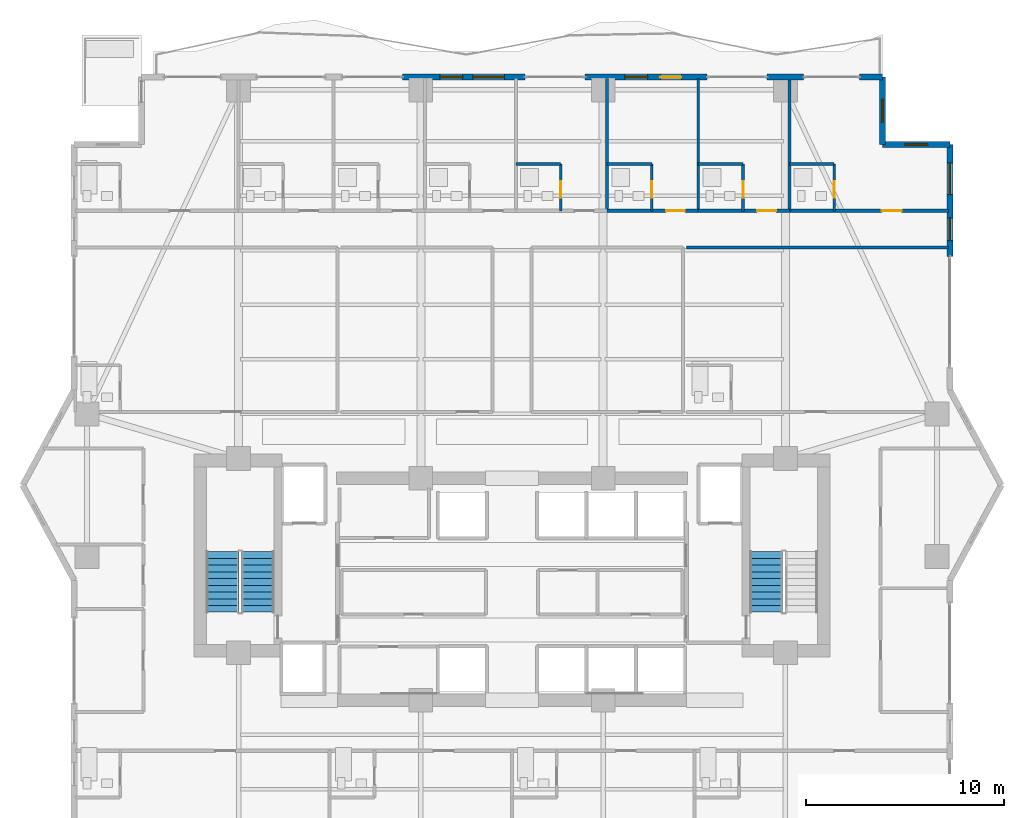
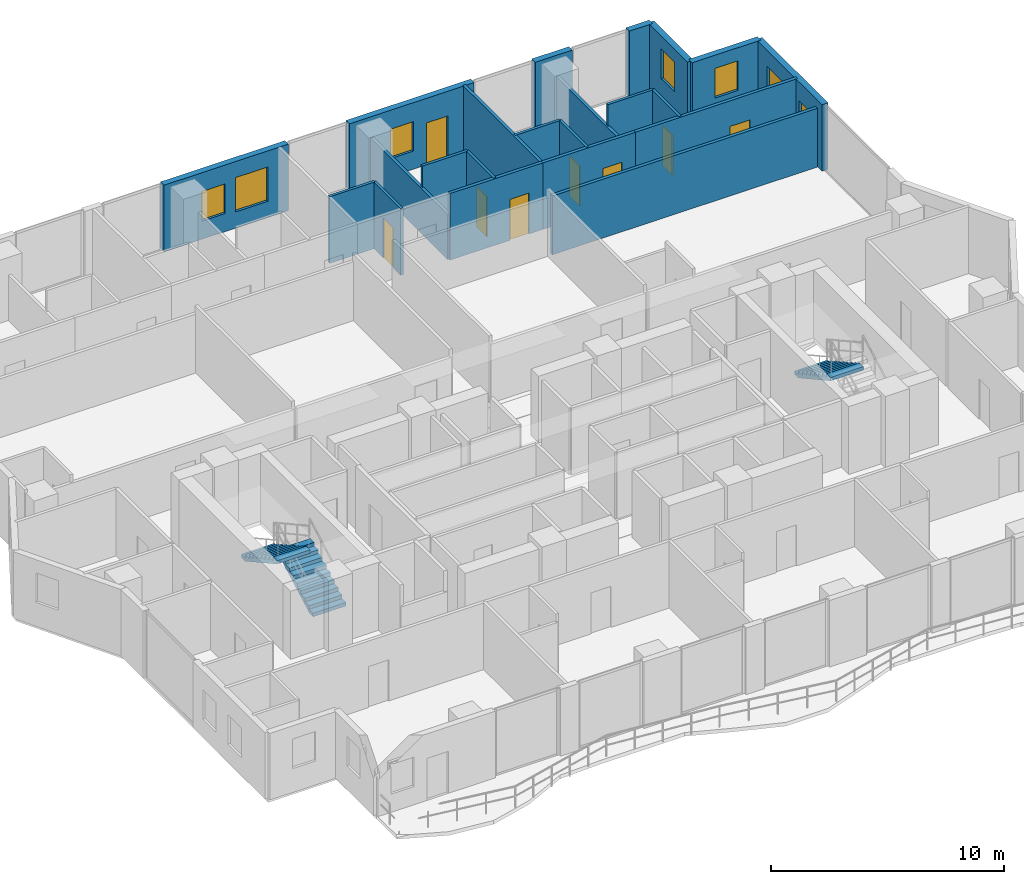
# One storey, part 28 of 33: 22 walls, 8 doors, 7 windows, 3 stair flights, 15 openings, 2 elements without a shape of their own.
"""IFC4 building model written with IfcOpenShell, lengths in metres."""

from ifc_helpers import new_model, si_unit, direction, frame, frame_2d, origin, place, context, subcontext, project, spatial, polyline, rectangle, outline, extrude, material, layer, layer_set, type_object, element, fill, aggregate, save


model = new_model("IFC4")

# Units and contexts
model_context = context("Model", 3, precision=1e-05, world=origin(), true_north=direction((0.0, 1.0)))
body_context = subcontext(model_context, "Body", "Model", "MODEL_VIEW")
ifc_project = project(units=[si_unit("LENGTHUNIT", "METRE"), si_unit("AREAUNIT", "SQUARE_METRE"), si_unit("VOLUMEUNIT", "CUBIC_METRE"), si_unit("PLANEANGLEUNIT", "RADIAN"), si_unit("MASSUNIT", "GRAM", prefix="KILO")], contexts=[model_context])

# Site, building, storey
site_placement = place(None, origin())
site = spatial("IfcSite", under=ifc_project, at=site_placement, CompositionType="ELEMENT")
building_placement = place(site_placement, origin())
building = spatial("IfcBuilding", under=site, at=building_placement, Name="Zuhayl Quay Hotel", CompositionType="ELEMENT")
storey_placement = place(building_placement, frame((0.0, 0.0, 229.89990234375)))
storey = spatial("IfcBuildingStorey", under=building, at=storey_placement, Name="L58", CompositionType="ELEMENT", Elevation=229.89990234375)

# Wall, openings, windows
ifc_material_1 = material(Name="Precast concrete C45/55", Category="concrete")
ifc_layer_1 = layer(ifc_material_1, 0.300048828125, Name="Precast concrete C45/55", Category="concrete")
ifc_layer_set_1 = layer_set([ifc_layer_1], Name="Precast concrete C45/55")
wall_type_1 = type_object("IfcWallType", Name="WL_EXT_300", PredefinedType="STANDARD", material=ifc_layer_set_1)
wall_1_placement = place(storey_placement, frame((-5.52001953125, 33.60009765625, 0.0), z_axis=(0.0, 0.0, 1.0), x_axis=(1.0, 0.0, 0.0)))
wall_1 = element("IfcWall", 1, at=wall_1_placement, inside=storey, type_object=wall_type_1, Name="L58 Exterior Precast Wall ENV_L58_N_EW4", PredefinedType="STANDARD", context=body_context, shape_type="SweptSolid", body=[
    extrude(rectangle(XDim=6.169921875, YDim=0.300048828125, at=frame_2d((3.0849609375, 0.0))), origin(), (0.0, 0.0, 1.0), 3.489990234375),
])
opening_1_placement = place(wall_1_placement, frame((3.5400390625, 0.0, 0.85009765625)))
opening_1 = element("IfcOpeningElement", 2, at=opening_1_placement, cuts=wall_1, Name="Opening W01", PredefinedType="OPENING", context=body_context, shape_type="SweptSolid", body=[
    extrude(rectangle(XDim=1.60009765625, YDim=1.800048828125, at=frame_2d((0.800048828125, 0.89990234375))), frame((0.0, 0.159912109375, 0.0), z_axis=(0.0, -1.0, 0.0), x_axis=(1.0, 0.0, 0.0)), (0.0, 0.0, 1.0), 0.320068359375),
])
opening_2_placement = place(wall_1_placement, frame((1.8798828125, 0.0, 0.949951171875)))
opening_2 = element("IfcOpeningElement", 3, at=opening_2_placement, cuts=wall_1, Name="Opening W01N", PredefinedType="OPENING", context=body_context, shape_type="SweptSolid", body=[
    extrude(rectangle(XDim=1.14990234375, YDim=1.550048828125, at=frame_2d((0.574951171875, 0.77490234375))), frame((0.0, 0.159912109375, 0.0), z_axis=(0.0, -1.0, 0.0), x_axis=(1.0, 0.0, 0.0)), (0.0, 0.0, 1.0), 0.320068359375),
])
ifc_material_2 = material(Name="Dark Ceramic-Fritted Solar Glass", Category="glass")
window_type_1 = type_object("IfcWindowType", Name="WN_NOTCH_1350", PartitioningType="SINGLE_PANEL", PredefinedType="WINDOW", material=ifc_material_2)
window_1_placement = place(opening_2_placement, origin())
window_1 = element("IfcWindow", 4, at=window_1_placement, inside=storey, type_object=window_type_1, Name="L58 Operable Facade Window 4-1", OverallHeight=1.550048828125, OverallWidth=1.14990234375, PartitioningType="SINGLE_PANEL", PredefinedType="WINDOW", context=body_context, shape_type="SweptSolid", body=[
    extrude(rectangle(XDim=1.14990234375, YDim=1.550048828125, at=frame_2d((0.574951171875, 0.77490234375))), frame((0.0, 0.030029296875, 0.0), z_axis=(0.0, -1.0, 0.0), x_axis=(1.0, 0.0, 0.0)), (0.0, 0.0, 1.0), 0.06005859375),
])
fill(opening_2, window_1)
window_type_2 = type_object("IfcWindowType", Name="WN_OPERABLE_1600", PartitioningType="DOUBLE_PANEL_VERTICAL", PredefinedType="WINDOW", material=ifc_material_2)
window_2_placement = place(opening_1_placement, origin())
window_2 = element("IfcWindow", 5, at=window_2_placement, inside=storey, type_object=window_type_2, Name="L58 North Operable Casement Window", OverallHeight=1.800048828125, OverallWidth=1.60009765625, PartitioningType="SINGLE_PANEL", PredefinedType="WINDOW", context=body_context, shape_type="SweptSolid", body=[
    extrude(rectangle(XDim=1.60009765625, YDim=1.800048828125, at=frame_2d((0.800048828125, 0.89990234375))), frame((0.0, 0.030029296875, 0.0), z_axis=(0.0, -1.0, 0.0), x_axis=(1.0, 0.0, 0.0)), (0.0, 0.0, 1.0), 0.06005859375),
])
fill(opening_1, window_2)

# Wall, openings, door, window
wall_2_placement = place(storey_placement, frame((3.679931640625, 33.60009765625, 0.0), z_axis=(0.0, 0.0, 1.0), x_axis=(1.0, 0.0, 0.0)))
wall_2 = element("IfcWall", 6, at=wall_2_placement, inside=storey, type_object=wall_type_1, Name="L58 Exterior Precast Wall ENV_L58_N_EW5", PredefinedType="STANDARD", context=body_context, shape_type="SweptSolid", body=[
    extrude(rectangle(XDim=6.170166015625, YDim=0.300048828125, at=frame_2d((3.0849609375, 0.0))), origin(), (0.0, 0.0, 1.0), 3.489990234375),
])
opening_3_placement = place(wall_2_placement, frame((3.81494140625, 0.0, 0.0)))
opening_3 = element("IfcOpeningElement", 7, at=opening_3_placement, cuts=wall_2, Name="Opening DG1", PredefinedType="OPENING", context=body_context, shape_type="SweptSolid", body=[
    extrude(rectangle(XDim=1.050048828125, YDim=2.199951171875, at=frame_2d((0.52490234375, 1.10009765625))), frame((0.0, 0.159912109375, 0.0), z_axis=(0.0, -1.0, 0.0), x_axis=(1.0, 0.0, 0.0)), (0.0, 0.0, 1.0), 0.320068359375),
])
opening_4_placement = place(wall_2_placement, frame((2.017578125, 0.0, 0.949951171875)))
opening_4 = element("IfcOpeningElement", 8, at=opening_4_placement, cuts=wall_2, Name="Opening W01N", PredefinedType="OPENING", context=body_context, shape_type="SweptSolid", body=[
    extrude(rectangle(XDim=1.14990234375, YDim=1.550048828125, at=frame_2d((0.574951171875, 0.77490234375))), frame((0.0, 0.159912109375, 0.0), z_axis=(0.0, -1.0, 0.0), x_axis=(1.0, 0.0, 0.0)), (0.0, 0.0, 1.0), 0.320068359375),
])
ifc_material_3 = material(Name="Anodised Aluminium and Dark Solar Glass", Category="aluminium")
door_type_1 = type_object("IfcDoorType", Name="DR_EXT_TERR_1050", OperationType="NOTDEFINED", PredefinedType="DOOR", material=ifc_material_3)
door_1_placement = place(opening_3_placement, origin())
door_1 = element("IfcDoor", 9, at=door_1_placement, inside=storey, type_object=door_type_1, Name="L58 North Rippling Balcony Door", OperationType="SINGLE_SWING_LEFT", OverallHeight=2.199951171875, OverallWidth=1.050048828125, PredefinedType="DOOR", context=body_context, shape_type="SweptSolid", body=[
    extrude(rectangle(XDim=1.050048828125, YDim=2.199951171875, at=frame_2d((0.52490234375, 1.10009765625))), frame((0.0, 0.02490234375, 0.0), z_axis=(0.0, -1.0, 0.0), x_axis=(1.0, 0.0, 0.0)), (0.0, 0.0, 1.0), 0.050048828125),
])
fill(opening_3, door_1)
window_3_placement = place(opening_4_placement, origin())
window_3 = element("IfcWindow", 10, at=window_3_placement, inside=storey, type_object=window_type_1, Name="L58 Operable Facade Window 5-1", OverallHeight=1.550048828125, OverallWidth=1.14990234375, PartitioningType="SINGLE_PANEL", PredefinedType="WINDOW", context=body_context, shape_type="SweptSolid", body=[
    extrude(rectangle(XDim=1.14990234375, YDim=1.550048828125, at=frame_2d((0.574951171875, 0.77490234375))), frame((0.0, 0.030029296875, 0.0), z_axis=(0.0, -1.0, 0.0), x_axis=(1.0, 0.0, 0.0)), (0.0, 0.0, 1.0), 0.06005859375),
])
fill(opening_4, window_3)

# Walls
wall_3_placement = place(storey_placement, frame((12.8798828125, 33.60009765625, 0.0), z_axis=(0.0, 0.0, 1.0), x_axis=(1.0, 0.0, 0.0)))
element("IfcWall", 11, at=wall_3_placement, inside=storey, type_object=wall_type_1, Name="L58 Exterior Precast Wall ENV_L58_N_EW6", PredefinedType="STANDARD", context=body_context, shape_type="SweptSolid", body=[
    extrude(rectangle(XDim=1.840087890625, YDim=0.300048828125, at=frame_2d((0.919921875, 0.0))), origin(), (0.0, 0.0, 1.0), 3.489990234375),
])
wall_4_placement = place(storey_placement, frame((17.550048828125, 33.60009765625, 0.0), z_axis=(0.0, 0.0, 1.0), x_axis=(1.0, 0.0, 0.0)))
element("IfcWall", 12, at=wall_4_placement, inside=storey, type_object=wall_type_1, Name="L58 Exterior Precast Wall ENV_L58_N_EW7", PredefinedType="STANDARD", context=body_context, shape_type="SweptSolid", body=[
    extrude(rectangle(XDim=1.14990234375, YDim=0.300048828125, at=frame_2d((0.574951171875, 0.0))), origin(), (0.0, 0.0, 1.0), 3.489990234375),
])

# Wall, opening, window
wall_5_placement = place(storey_placement, frame((18.699951171875, 33.60009765625, 0.0), z_axis=(0.0, 0.0, 1.0), x_axis=(0.0, -1.0, 0.0)))
wall_5 = element("IfcWall", 13, at=wall_5_placement, inside=storey, type_object=wall_type_1, Name="L58 Exterior Precast Wall ENV_L58_EW09", PredefinedType="STANDARD", context=body_context, shape_type="SweptSolid", body=[
    extrude(rectangle(XDim=3.400146484375, YDim=0.300048828125, at=frame_2d((1.7001953125, 0.0))), origin(), (0.0, 0.0, 1.0), 3.489990234375),
])
opening_5_placement = place(wall_5_placement, frame((1.125, 0.0, 1.25)))
opening_5 = element("IfcOpeningElement", 14, at=opening_5_placement, cuts=wall_5, Name="Opening W01N", PredefinedType="OPENING", context=body_context, shape_type="SweptSolid", body=[
    extrude(rectangle(XDim=1.14990234375, YDim=1.550048828125, at=frame_2d((0.574951171875, 0.77490234375))), frame((0.0, 0.159912109375, 0.0), z_axis=(0.0, -1.0, 0.0), x_axis=(1.0, 0.0, 0.0)), (0.0, 0.0, 1.0), 0.320068359375),
])
window_4_placement = place(opening_5_placement, origin())
window_4 = element("IfcWindow", 15, at=window_4_placement, inside=storey, type_object=window_type_1, Name="L58 Corner Notch Window 9", OverallHeight=1.550048828125, OverallWidth=1.14990234375, PartitioningType="SINGLE_PANEL", PredefinedType="WINDOW", context=body_context, shape_type="SweptSolid", body=[
    extrude(rectangle(XDim=1.14990234375, YDim=1.550048828125, at=frame_2d((0.574951171875, 0.77490234375))), frame((0.0, 0.030029296875, 0.0), z_axis=(0.0, -1.0, 0.0), x_axis=(1.0, 0.0, 0.0)), (0.0, 0.0, 1.0), 0.06005859375),
])
fill(opening_5, window_4)

wall_6_placement = place(storey_placement, frame((18.699951171875, 30.199951171875, 0.0), z_axis=(0.0, 0.0, 1.0), x_axis=(1.0, 0.0, 0.0)))
wall_6 = element("IfcWall", 16, at=wall_6_placement, inside=storey, type_object=wall_type_1, Name="L58 Exterior Precast Wall ENV_L58_EW10", PredefinedType="STANDARD", context=body_context, shape_type="SweptSolid", body=[
    extrude(rectangle(XDim=3.400146484375, YDim=0.300048828125, at=frame_2d((1.7001953125, 0.0))), origin(), (0.0, 0.0, 1.0), 3.489990234375),
])
opening_6_placement = place(wall_6_placement, frame((1.125, 0.0, 1.25)))
opening_6 = element("IfcOpeningElement", 17, at=opening_6_placement, cuts=wall_6, Name="Opening W01N", PredefinedType="OPENING", context=body_context, shape_type="SweptSolid", body=[
    extrude(rectangle(XDim=1.14990234375, YDim=1.550048828125, at=frame_2d((0.574951171875, 0.77490234375))), frame((0.0, 0.159912109375, 0.0), z_axis=(0.0, -1.0, 0.0), x_axis=(1.0, 0.0, 0.0)), (0.0, 0.0, 1.0), 0.320068359375),
])
window_5_placement = place(opening_6_placement, origin())
window_5 = element("IfcWindow", 18, at=window_5_placement, inside=storey, type_object=window_type_1, Name="L58 Corner Notch Window 10", OverallHeight=1.550048828125, OverallWidth=1.14990234375, PartitioningType="SINGLE_PANEL", PredefinedType="WINDOW", context=body_context, shape_type="SweptSolid", body=[
    extrude(rectangle(XDim=1.14990234375, YDim=1.550048828125, at=frame_2d((0.574951171875, 0.77490234375))), frame((0.0, 0.030029296875, 0.0), z_axis=(0.0, -1.0, 0.0), x_axis=(1.0, 0.0, 0.0)), (0.0, 0.0, 1.0), 0.06005859375),
])
fill(opening_6, window_5)

# Wall, openings, windows
wall_7_placement = place(storey_placement, frame((22.10009765625, 30.199951171875, 0.0), z_axis=(0.0, 0.0, 1.0), x_axis=(0.0, -1.0, 0.0)))
wall_7 = element("IfcWall", 19, at=wall_7_placement, inside=storey, type_object=wall_type_1, Name="L58 Exterior Precast Wall ENV_L58_E11_EW1", PredefinedType="STANDARD", context=body_context, shape_type="SweptSolid", body=[
    extrude(rectangle(XDim=5.64990234375, YDim=0.300048828125, at=frame_2d((2.824951171875, 0.0))), origin(), (0.0, 0.0, 1.0), 3.489990234375),
])
opening_7_placement = place(wall_7_placement, frame((0.93505859375, 0.0, 0.85009765625)))
opening_7 = element("IfcOpeningElement", 20, at=opening_7_placement, cuts=wall_7, Name="Opening W01", PredefinedType="OPENING", context=body_context, shape_type="SweptSolid", body=[
    extrude(rectangle(XDim=1.60009765625, YDim=1.800048828125, at=frame_2d((0.800048828125, 0.89990234375))), frame((0.0, 0.159912109375, 0.0), z_axis=(0.0, -1.0, 0.0), x_axis=(1.0, 0.0, 0.0)), (0.0, 0.0, 1.0), 0.320068359375),
])
opening_8_placement = place(wall_7_placement, frame((3.699951171875, 0.0, 0.949951171875)))
opening_8 = element("IfcOpeningElement", 21, at=opening_8_placement, cuts=wall_7, Name="Opening W01N", PredefinedType="OPENING", context=body_context, shape_type="SweptSolid", body=[
    extrude(rectangle(XDim=1.14990234375, YDim=1.550048828125, at=frame_2d((0.574951171875, 0.77490234375))), frame((0.0, 0.159912109375, 0.0), z_axis=(0.0, -1.0, 0.0), x_axis=(1.0, 0.0, 0.0)), (0.0, 0.0, 1.0), 0.320068359375),
])
window_6_placement = place(opening_8_placement, origin())
window_6 = element("IfcWindow", 22, at=window_6_placement, inside=storey, type_object=window_type_1, Name="L58 Operable Facade Window 1-2", OverallHeight=1.550048828125, OverallWidth=1.14990234375, PartitioningType="SINGLE_PANEL", PredefinedType="WINDOW", context=body_context, shape_type="SweptSolid", body=[
    extrude(rectangle(XDim=1.14990234375, YDim=1.550048828125, at=frame_2d((0.574951171875, 0.77490234375))), frame((0.0, 0.030029296875, 0.0), z_axis=(0.0, -1.0, 0.0), x_axis=(1.0, 0.0, 0.0)), (0.0, 0.0, 1.0), 0.06005859375),
])
fill(opening_8, window_6)
window_7_placement = place(opening_7_placement, origin())
window_7 = element("IfcWindow", 23, at=window_7_placement, inside=storey, type_object=window_type_2, Name="L58 Operable Facade Window 1-1", OverallHeight=1.800048828125, OverallWidth=1.60009765625, PartitioningType="SINGLE_PANEL", PredefinedType="WINDOW", context=body_context, shape_type="SweptSolid", body=[
    extrude(rectangle(XDim=1.60009765625, YDim=1.800048828125, at=frame_2d((0.800048828125, 0.89990234375))), frame((0.0, 0.030029296875, 0.0), z_axis=(0.0, -1.0, 0.0), x_axis=(1.0, 0.0, 0.0)), (0.0, 0.0, 1.0), 0.06005859375),
])
fill(opening_7, window_7)

# Walls
ifc_material_4 = material(Name="Acoustic Gypsum Partition STC-58")
ifc_layer_2 = layer(ifc_material_4, 0.14990234375, Name="Acoustic Gypsum Partition STC-58")
ifc_layer_set_2 = layer_set([ifc_layer_2], Name="Acoustic Gypsum Partition STC-58")
wall_type_2 = type_object("IfcWallType", Name="WL_PART_150", PredefinedType="PARTITIONING", material=ifc_layer_set_2)
wall_8_placement = place(storey_placement, frame((4.800048828125, 26.85009765625, 0.0), z_axis=(0.0, 0.0, 1.0), x_axis=(0.0, 1.0, 0.0)))
element("IfcWall", 24, at=wall_8_placement, inside=storey, type_object=wall_type_2, Name="L58 Partition IW_L58_NU05_E", PredefinedType="PARTITIONING", context=body_context, shape_type="SweptSolid", body=[
    extrude(rectangle(XDim=6.669921875, YDim=0.14990234375, at=frame_2d((3.3349609375, 0.0))), origin(), (0.0, 0.0, 1.0), 2.3720703125),
])
wall_9_placement = place(storey_placement, frame((9.39990234375, 26.85009765625, 0.0), z_axis=(0.0, 0.0, 1.0), x_axis=(0.0, 1.0, 0.0)))
element("IfcWall", 25, at=wall_9_placement, inside=storey, type_object=wall_type_2, Name="L58 Partition IW_L58_NU06_E", PredefinedType="PARTITIONING", context=body_context, shape_type="SweptSolid", body=[
    extrude(rectangle(XDim=6.669921875, YDim=0.14990234375, at=frame_2d((3.3349609375, 0.0))), origin(), (0.0, 0.0, 1.0), 3.489990234375),
])
wall_10_placement = place(storey_placement, frame((14.0, 26.85009765625, 0.0), z_axis=(0.0, 0.0, 1.0), x_axis=(0.0, 1.0, 0.0)))
element("IfcWall", 26, at=wall_10_placement, inside=storey, type_object=wall_type_2, Name="L58 Partition IW_L58_NU07_E", PredefinedType="PARTITIONING", context=body_context, shape_type="SweptSolid", body=[
    extrude(rectangle(XDim=6.669921875, YDim=0.14990234375, at=frame_2d((3.3349609375, 0.0))), origin(), (0.0, 0.0, 1.0), 2.3720703125),
])

# Wall, opening, door
ifc_layer_3 = layer(ifc_material_4, 0.159912109375, Name="Acoustic Gypsum Partition STC-58")
ifc_layer_set_3 = layer_set([ifc_layer_3], Name="Acoustic Gypsum Partition STC-58")
wall_type_3 = type_object("IfcWallType", Name="WL_PART_CORR_160", PredefinedType="PARTITIONING", material=ifc_layer_set_3)
wall_11_placement = place(storey_placement, frame((4.800048828125, 26.85009765625, 0.0), z_axis=(0.0, 0.0, 1.0), x_axis=(1.0, 0.0, 0.0)))
wall_11 = element("IfcWall", 27, at=wall_11_placement, inside=storey, type_object=wall_type_3, Name="L58 Partition IW_L58_NU06_COR", PredefinedType="PARTITIONING", context=body_context, shape_type="SweptSolid", body=[
    extrude(rectangle(XDim=4.599853515625, YDim=0.159912109375, at=frame_2d((2.2998046875, 0.0))), origin(), (0.0, 0.0, 1.0), 3.489990234375),
])
opening_9_placement = place(wall_11_placement, frame((2.97509765625, 0.0, 0.0)))
opening_9 = element("IfcOpeningElement", 28, at=opening_9_placement, cuts=wall_11, Name="Opening D03", PredefinedType="OPENING", context=body_context, shape_type="SweptSolid", body=[
    extrude(rectangle(XDim=0.949951171875, YDim=2.14990234375, at=frame_2d((0.47509765625, 1.074951171875))), frame((0.0, 0.08984375, 0.0), z_axis=(0.0, -1.0, 0.0), x_axis=(1.0, 0.0, 0.0)), (0.0, 0.0, 1.0), 0.179931640625),
])
ifc_material_5 = material(Name="Solid Walnut Acoustic Fire Door")
door_type_2 = type_object("IfcDoorType", Name="DR_SUITE_950", OperationType="NOTDEFINED", PredefinedType="DOOR", material=ifc_material_5)
door_2_placement = place(opening_9_placement, origin())
door_2 = element("IfcDoor", 29, at=door_2_placement, inside=storey, type_object=door_type_2, Name="L58 Panoramic Gulf Guest Room L58-06 Entrance Door", OperationType="SINGLE_SWING_LEFT", OverallHeight=2.14990234375, OverallWidth=0.949951171875, PredefinedType="DOOR", context=body_context, shape_type="SweptSolid", body=[
    extrude(rectangle(XDim=0.949951171875, YDim=2.14990234375, at=frame_2d((0.47509765625, 1.074951171875))), frame((0.0, 0.02490234375, 0.0), z_axis=(0.0, -1.0, 0.0), x_axis=(1.0, 0.0, 0.0)), (0.0, 0.0, 1.0), 0.050048828125),
])
fill(opening_9, door_2)

wall_12_placement = place(storey_placement, frame((9.39990234375, 26.85009765625, 0.0), z_axis=(0.0, 0.0, 1.0), x_axis=(1.0, 0.0, 0.0)))
wall_12 = element("IfcWall", 30, at=wall_12_placement, inside=storey, type_object=wall_type_3, Name="L58 Partition IW_L58_NU07_COR", PredefinedType="PARTITIONING", context=body_context, shape_type="SweptSolid", body=[
    extrude(rectangle(XDim=4.60009765625, YDim=0.159912109375, at=frame_2d((2.300048828125, 0.0))), origin(), (0.0, 0.0, 1.0), 3.489990234375),
])
opening_10_placement = place(wall_12_placement, frame((2.97509765625, 0.0, 0.0)))
opening_10 = element("IfcOpeningElement", 31, at=opening_10_placement, cuts=wall_12, Name="Opening D03", PredefinedType="OPENING", context=body_context, shape_type="SweptSolid", body=[
    extrude(rectangle(XDim=0.949951171875, YDim=2.14990234375, at=frame_2d((0.47509765625, 1.074951171875))), frame((0.0, 0.08984375, 0.0), z_axis=(0.0, -1.0, 0.0), x_axis=(1.0, 0.0, 0.0)), (0.0, 0.0, 1.0), 0.179931640625),
])
door_3_placement = place(opening_10_placement, origin())
door_3 = element("IfcDoor", 32, at=door_3_placement, inside=storey, type_object=door_type_2, Name="L58 Panoramic Gulf Guest Room L58-07 Entrance Door", OperationType="SINGLE_SWING_LEFT", OverallHeight=2.14990234375, OverallWidth=0.949951171875, PredefinedType="DOOR", context=body_context, shape_type="SweptSolid", body=[
    extrude(rectangle(XDim=0.949951171875, YDim=2.14990234375, at=frame_2d((0.47509765625, 1.074951171875))), frame((0.0, 0.02490234375, 0.0), z_axis=(0.0, -1.0, 0.0), x_axis=(1.0, 0.0, 0.0)), (0.0, 0.0, 1.0), 0.050048828125),
])
fill(opening_10, door_3)

wall_13_placement = place(storey_placement, frame((14.0, 26.85009765625, 0.0), z_axis=(0.0, 0.0, 1.0), x_axis=(1.0, 0.0, 0.0)))
wall_13 = element("IfcWall", 33, at=wall_13_placement, inside=storey, type_object=wall_type_3, Name="L58 Partition IW_L58_NU08_COR", PredefinedType="PARTITIONING", context=body_context, shape_type="SweptSolid", body=[
    extrude(rectangle(XDim=8.0400390625, YDim=0.159912109375, at=frame_2d((4.02001953125, 0.0))), origin(), (0.0, 0.0, 1.0), 3.489990234375),
])
opening_11_placement = place(wall_13_placement, frame((4.669921875, 0.0, 0.0)))
opening_11 = element("IfcOpeningElement", 34, at=opening_11_placement, cuts=wall_13, Name="Opening D03L", PredefinedType="OPENING", context=body_context, shape_type="SweptSolid", body=[
    extrude(rectangle(XDim=1.0, YDim=2.14990234375, at=frame_2d((0.5, 1.074951171875))), frame((0.0, 0.08984375, 0.0), z_axis=(0.0, -1.0, 0.0), x_axis=(1.0, 0.0, 0.0)), (0.0, 0.0, 1.0), 0.179931640625),
])
door_type_3 = type_object("IfcDoorType", Name="DR_SUITE_1000", OperationType="NOTDEFINED", PredefinedType="DOOR", material=ifc_material_5)
door_4_placement = place(opening_11_placement, origin())
door_4 = element("IfcDoor", 35, at=door_4_placement, inside=storey, type_object=door_type_3, Name="L58 Panoramic Gulf Guest Room L58-08 Entrance Door", OperationType="SINGLE_SWING_LEFT", OverallHeight=2.14990234375, OverallWidth=1.0, PredefinedType="DOOR", context=body_context, shape_type="SweptSolid", body=[
    extrude(rectangle(XDim=1.0, YDim=2.14990234375, at=frame_2d((0.5, 1.074951171875))), frame((0.0, 0.02490234375, 0.0), z_axis=(0.0, -1.0, 0.0), x_axis=(1.0, 0.0, 0.0)), (0.0, 0.0, 1.0), 0.050048828125),
])
fill(opening_11, door_4)

# Wall
wall_14_placement = place(storey_placement, frame((8.800048828125, 25.0, 0.0), z_axis=(0.0, 0.0, 1.0), x_axis=(1.0, 0.0, 0.0)))
element("IfcWall", 36, at=wall_14_placement, inside=storey, type_object=wall_type_3, Name="L58 Partition IW_L58_MU04_BK", PredefinedType="PARTITIONING", context=body_context, shape_type="SweptSolid", body=[
    extrude(rectangle(XDim=13.239990234375, YDim=0.159912109375, at=frame_2d((6.6201171875, 0.0))), origin(), (0.0, 0.0, 1.0), 3.083984375),
])

# Wall, opening, door
ifc_material_6 = material(Name="Moisture-Resistant Sanitarychase Gypsum")
ifc_layer_4 = layer(ifc_material_6, 0.135009765625, Name="Moisture-Resistant Sanitarychase Gypsum")
ifc_layer_set_4 = layer_set([ifc_layer_4], Name="Moisture-Resistant Sanitarychase Gypsum")
wall_type_4 = type_object("IfcWallType", Name="WL_PART_PLUMB_150", PredefinedType="PLUMBINGWALL", material=ifc_layer_set_4)
wall_15_placement = place(storey_placement, frame((2.4599609375, 26.85009765625, 0.0), z_axis=(0.0, 0.0, 1.0), x_axis=(0.0, 1.0, 0.0)))
wall_15 = element("IfcWall", 37, at=wall_15_placement, inside=storey, type_object=wall_type_4, Name="L58 Partition IW_L58_NU05_BE", PredefinedType="PLUMBINGWALL", context=body_context, shape_type="SweptSolid", body=[
    extrude(rectangle(XDim=2.35986328125, YDim=0.135009765625, at=frame_2d((1.179931640625, 0.0))), origin(), (0.0, 0.0, 1.0), 3.489990234375),
])
opening_12_placement = place(wall_15_placement, frame((0.64990234375, 0.0, 0.0)))
opening_12 = element("IfcOpeningElement", 38, at=opening_12_placement, cuts=wall_15, Name="Opening D04", PredefinedType="OPENING", context=body_context, shape_type="SweptSolid", body=[
    extrude(rectangle(XDim=0.85009765625, YDim=2.10009765625, at=frame_2d((0.425048828125, 1.050048828125))), frame((0.0, 0.077392578125, 0.0), z_axis=(0.0, -1.0, 0.0), x_axis=(1.0, 0.0, 0.0)), (0.0, 0.0, 1.0), 0.155029296875),
])
ifc_material_7 = material(Name="Moisture-Resistant Walnut Veneer")
door_type_4 = type_object("IfcDoorType", Name="DR_BATH_850", OperationType="NOTDEFINED", PredefinedType="DOOR", material=ifc_material_7)
door_5_placement = place(opening_12_placement, origin())
door_5 = element("IfcDoor", 39, at=door_5_placement, inside=storey, type_object=door_type_4, Name="L58 Panoramic Gulf Guest Room L58-05 En-Suite Door", OperationType="SINGLE_SWING_RIGHT", OverallHeight=2.10009765625, OverallWidth=0.85009765625, PredefinedType="DOOR", context=body_context, shape_type="SweptSolid", body=[
    extrude(rectangle(XDim=0.85009765625, YDim=2.10009765625, at=frame_2d((0.425048828125, 1.050048828125))), frame((0.0, 0.02490234375, 0.0), z_axis=(0.0, -1.0, 0.0), x_axis=(1.0, 0.0, 0.0)), (0.0, 0.0, 1.0), 0.050048828125),
])
fill(opening_12, door_5)

wall_16_placement = place(storey_placement, frame((7.06005859375, 26.85009765625, 0.0), z_axis=(0.0, 0.0, 1.0), x_axis=(0.0, 1.0, 0.0)))
wall_16 = element("IfcWall", 40, at=wall_16_placement, inside=storey, type_object=wall_type_4, Name="L58 Partition IW_L58_NU06_BE", PredefinedType="PLUMBINGWALL", context=body_context, shape_type="SweptSolid", body=[
    extrude(rectangle(XDim=2.35986328125, YDim=0.135009765625, at=frame_2d((1.179931640625, 0.0))), origin(), (0.0, 0.0, 1.0), 3.489990234375),
])
opening_13_placement = place(wall_16_placement, frame((0.64990234375, 0.0, 0.0)))
opening_13 = element("IfcOpeningElement", 41, at=opening_13_placement, cuts=wall_16, Name="Opening D04", PredefinedType="OPENING", context=body_context, shape_type="SweptSolid", body=[
    extrude(rectangle(XDim=0.85009765625, YDim=2.10009765625, at=frame_2d((0.425048828125, 1.050048828125))), frame((0.0, 0.077392578125, 0.0), z_axis=(0.0, -1.0, 0.0), x_axis=(1.0, 0.0, 0.0)), (0.0, 0.0, 1.0), 0.155029296875),
])
door_6_placement = place(opening_13_placement, origin())
door_6 = element("IfcDoor", 42, at=door_6_placement, inside=storey, type_object=door_type_4, Name="L58 Panoramic Gulf Guest Room L58-06 En-Suite Door", OperationType="SINGLE_SWING_RIGHT", OverallHeight=2.10009765625, OverallWidth=0.85009765625, PredefinedType="DOOR", context=body_context, shape_type="SweptSolid", body=[
    extrude(rectangle(XDim=0.85009765625, YDim=2.10009765625, at=frame_2d((0.425048828125, 1.050048828125))), frame((0.0, 0.02490234375, 0.0), z_axis=(0.0, -1.0, 0.0), x_axis=(1.0, 0.0, 0.0)), (0.0, 0.0, 1.0), 0.050048828125),
])
fill(opening_13, door_6)

wall_17_placement = place(storey_placement, frame((11.659912109375, 26.85009765625, 0.0), z_axis=(0.0, 0.0, 1.0), x_axis=(0.0, 1.0, 0.0)))
wall_17 = element("IfcWall", 43, at=wall_17_placement, inside=storey, type_object=wall_type_4, Name="L58 Partition IW_L58_NU07_BE", PredefinedType="PLUMBINGWALL", context=body_context, shape_type="SweptSolid", body=[
    extrude(rectangle(XDim=2.35986328125, YDim=0.135009765625, at=frame_2d((1.179931640625, 0.0))), origin(), (0.0, 0.0, 1.0), 3.489990234375),
])
opening_14_placement = place(wall_17_placement, frame((0.64990234375, 0.0, 0.0)))
opening_14 = element("IfcOpeningElement", 44, at=opening_14_placement, cuts=wall_17, Name="Opening D04", PredefinedType="OPENING", context=body_context, shape_type="SweptSolid", body=[
    extrude(rectangle(XDim=0.85009765625, YDim=2.10009765625, at=frame_2d((0.425048828125, 1.050048828125))), frame((0.0, 0.077392578125, 0.0), z_axis=(0.0, -1.0, 0.0), x_axis=(1.0, 0.0, 0.0)), (0.0, 0.0, 1.0), 0.155029296875),
])
door_7_placement = place(opening_14_placement, origin())
door_7 = element("IfcDoor", 45, at=door_7_placement, inside=storey, type_object=door_type_4, Name="L58 Panoramic Gulf Guest Room L58-07 En-Suite Door", OperationType="SINGLE_SWING_RIGHT", OverallHeight=2.10009765625, OverallWidth=0.85009765625, PredefinedType="DOOR", context=body_context, shape_type="SweptSolid", body=[
    extrude(rectangle(XDim=0.85009765625, YDim=2.10009765625, at=frame_2d((0.425048828125, 1.050048828125))), frame((0.0, 0.02490234375, 0.0), z_axis=(0.0, -1.0, 0.0), x_axis=(1.0, 0.0, 0.0)), (0.0, 0.0, 1.0), 0.050048828125),
])
fill(opening_14, door_7)

wall_18_placement = place(storey_placement, frame((16.260009765625, 26.85009765625, 0.0), z_axis=(0.0, 0.0, 1.0), x_axis=(0.0, 1.0, 0.0)))
wall_18 = element("IfcWall", 46, at=wall_18_placement, inside=storey, type_object=wall_type_4, Name="L58 Partition IW_L58_NU08_BE", PredefinedType="PLUMBINGWALL", context=body_context, shape_type="SweptSolid", body=[
    extrude(rectangle(XDim=2.35986328125, YDim=0.135009765625, at=frame_2d((1.179931640625, 0.0))), origin(), (0.0, 0.0, 1.0), 3.489990234375),
])
opening_15_placement = place(wall_18_placement, frame((0.64990234375, 0.0, 0.0)))
opening_15 = element("IfcOpeningElement", 47, at=opening_15_placement, cuts=wall_18, Name="Opening D04", PredefinedType="OPENING", context=body_context, shape_type="SweptSolid", body=[
    extrude(rectangle(XDim=0.85009765625, YDim=2.10009765625, at=frame_2d((0.425048828125, 1.050048828125))), frame((0.0, 0.077392578125, 0.0), z_axis=(0.0, -1.0, 0.0), x_axis=(1.0, 0.0, 0.0)), (0.0, 0.0, 1.0), 0.155029296875),
])
door_8_placement = place(opening_15_placement, origin())
door_8 = element("IfcDoor", 48, at=door_8_placement, inside=storey, type_object=door_type_4, Name="L58 Panoramic Gulf Guest Room L58-08 En-Suite Door", OperationType="SINGLE_SWING_RIGHT", OverallHeight=2.10009765625, OverallWidth=0.85009765625, PredefinedType="DOOR", context=body_context, shape_type="SweptSolid", body=[
    extrude(rectangle(XDim=0.85009765625, YDim=2.10009765625, at=frame_2d((0.425048828125, 1.050048828125))), frame((0.0, 0.02490234375, 0.0), z_axis=(0.0, -1.0, 0.0), x_axis=(1.0, 0.0, 0.0)), (0.0, 0.0, 1.0), 0.050048828125),
])
fill(opening_15, door_8)

# Walls
for number, where, z_axis, x_axis, name in (
    (49, (0.199951171875, 29.2099609375, 0.0), (0.0, 0.0, 1.0), (1.0, 0.0, 0.0), "L58 Partition IW_L58_NU05_BN"),
    (50, (4.800048828125, 29.2099609375, 0.0), (0.0, 0.0, 1.0), (1.0, 0.0, 0.0), "L58 Partition IW_L58_NU06_BN"),
    (51, (9.39990234375, 29.2099609375, 0.0), (0.0, 0.0, 1.0), (1.0, 0.0, 0.0), "L58 Partition IW_L58_NU07_BN"),
    (52, (14.0, 29.2099609375, 0.0), (0.0, 0.0, 1.0), (1.0, 0.0, 0.0), "L58 Partition IW_L58_NU08_BN"),
):
    element("IfcWall", number, at=place(storey_placement, frame(where, z_axis=z_axis, x_axis=x_axis)), inside=storey, type_object=wall_type_4, Name=name, PredefinedType="PLUMBINGWALL", context=body_context, shape_type="SweptSolid", body=[
        extrude(rectangle(XDim=2.260009765625, YDim=0.135009765625, at=frame_2d((1.1298828125, 0.0))), origin(), (0.0, 0.0, 1.0), 3.489990234375),
    ])

# Stair, stair flights
ifc_material_8 = material(Name="Concrete C45/55", Category="concrete")
stair_type = type_object("IfcStairType", Name="ST_DOGLEG_TOWER", PredefinedType="HALF_TURN_STAIR", material=ifc_material_8)
stair_1_placement = place(storey_placement, origin())
stair_1 = element("IfcStair", 53, at=stair_1_placement, inside=storey, type_object=stair_type, Name="L58 Smokeproof Exit Stair ST1", PredefinedType="HALF_TURN_STAIR")
ifc_layer_5 = layer(ifc_material_8, 0.159912109375, Name="Concrete C45/55", Category="concrete")
ifc_layer_set_5 = layer_set([ifc_layer_5], Name="Concrete C45/55")
stair_flight_type = type_object("IfcStairFlightType", Name="SF_CONC_164", PredefinedType="STRAIGHT", material=ifc_layer_set_5)
stair_flight_1_placement = place(storey_placement, frame((-12.820068359375, 6.590087890625, 0.0), z_axis=(0.0, 0.0, 1.0), x_axis=(0.0, 1.0, 0.0)))
stair_flight_1 = element("IfcStairFlight", 54, at=stair_flight_1_placement, type_object=stair_flight_type, Name="ST1 flight 1", NumberOfRisers=10, NumberOfTreads=9, PredefinedType="STRAIGHT", RiserHeight=0.1875, TreadLength=0.34, context=body_context, shape_type="SweptSolid", body=[
    extrude(outline(polyline([(0.0, 0.0), (0.0, 0.1875), (0.340087890625, 0.1875), (0.340087890625, 0.375), (0.679931640625, 0.375), (0.679931640625, 0.5625), (1.02001953125, 0.5625), (1.02001953125, 0.75), (1.360107421875, 0.75), (1.360107421875, 0.9375), (1.699951171875, 0.9375), (1.699951171875, 1.125), (2.0400390625, 1.125), (2.0400390625, 1.3125), (2.3798828125, 1.3125), (2.3798828125, 1.5), (2.719970703125, 1.5), (2.719970703125, 1.6875), (3.06005859375, 1.6875), (3.06005859375, 1.875), (3.06005859375, 1.516357421875), (0.310302734375, 0.0), (0.0, 0.0)])), frame((0.0, 0.81982421875, 0.0), z_axis=(0.0, -1.0, 0.0), x_axis=(1.0, 0.0, 0.0)), (0.0, 0.0, 1.0), 1.639892578125),
])
stair_flight_2_placement = place(storey_placement, frame((-14.610107421875, 9.64990234375, 1.875), z_axis=(0.0, 0.0, 1.0), x_axis=(0.0, -1.0, 0.0)))
stair_flight_2 = element("IfcStairFlight", 55, at=stair_flight_2_placement, type_object=stair_flight_type, Name="ST1 flight 2", NumberOfRisers=10, NumberOfTreads=9, PredefinedType="STRAIGHT", RiserHeight=0.1875, TreadLength=0.34, context=body_context, shape_type="SweptSolid", body=[
    extrude(outline(polyline([(0.0, 0.0), (0.0, 0.1875), (0.340087890625, 0.1875), (0.340087890625, 0.375), (0.679931640625, 0.375), (0.679931640625, 0.5625), (1.02001953125, 0.5625), (1.02001953125, 0.75), (1.360107421875, 0.75), (1.360107421875, 0.9375), (1.699951171875, 0.9375), (1.699951171875, 1.125), (2.0400390625, 1.125), (2.0400390625, 1.3125), (2.3798828125, 1.3125), (2.3798828125, 1.5), (2.719970703125, 1.5), (2.719970703125, 1.6875), (3.06005859375, 1.6875), (3.06005859375, 1.875), (3.06005859375, 1.516357421875), (0.310302734375, 0.0), (0.0, 0.0)])), frame((0.0, 0.81982421875, 0.0), z_axis=(0.0, -1.0, 0.0), x_axis=(1.0, 0.0, 0.0)), (0.0, 0.0, 1.0), 1.639892578125),
])
aggregate(stair_1, [stair_flight_1, stair_flight_2])

# Stair, stair flight
stair_2_placement = place(storey_placement, origin())
stair_2 = element("IfcStair", 56, at=stair_2_placement, inside=storey, type_object=stair_type, Name="L58 Smokeproof Exit Stair ST2", PredefinedType="HALF_TURN_STAIR")
stair_flight_3_placement = place(storey_placement, frame((12.820068359375, 9.64990234375, 1.875), z_axis=(0.0, 0.0, 1.0), x_axis=(0.0, -1.0, 0.0)))
stair_flight_3 = element("IfcStairFlight", 57, at=stair_flight_3_placement, type_object=stair_flight_type, Name="ST2 flight 2", NumberOfRisers=10, NumberOfTreads=9, PredefinedType="STRAIGHT", RiserHeight=0.1875, TreadLength=0.34, context=body_context, shape_type="SweptSolid", body=[
    extrude(outline(polyline([(0.0, 0.0), (0.0, 0.1875), (0.340087890625, 0.1875), (0.340087890625, 0.375), (0.679931640625, 0.375), (0.679931640625, 0.5625), (1.02001953125, 0.5625), (1.02001953125, 0.75), (1.360107421875, 0.75), (1.360107421875, 0.9375), (1.699951171875, 0.9375), (1.699951171875, 1.125), (2.0400390625, 1.125), (2.0400390625, 1.3125), (2.3798828125, 1.3125), (2.3798828125, 1.5), (2.719970703125, 1.5), (2.719970703125, 1.6875), (3.06005859375, 1.6875), (3.06005859375, 1.875), (3.06005859375, 1.516357421875), (0.310302734375, 0.0), (0.0, 0.0)])), frame((0.0, 0.81982421875, 0.0), z_axis=(0.0, -1.0, 0.0), x_axis=(1.0, 0.0, 0.0)), (0.0, 0.0, 1.0), 1.639892578125),
])
aggregate(stair_2, [stair_flight_3])

save(model, "model.ifc")
